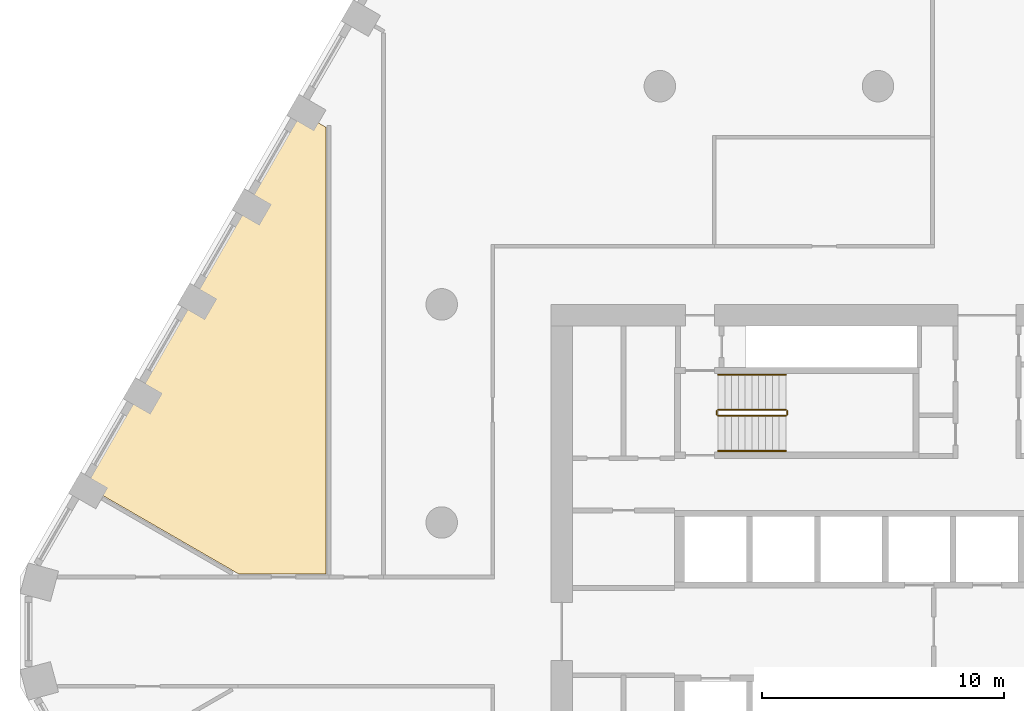
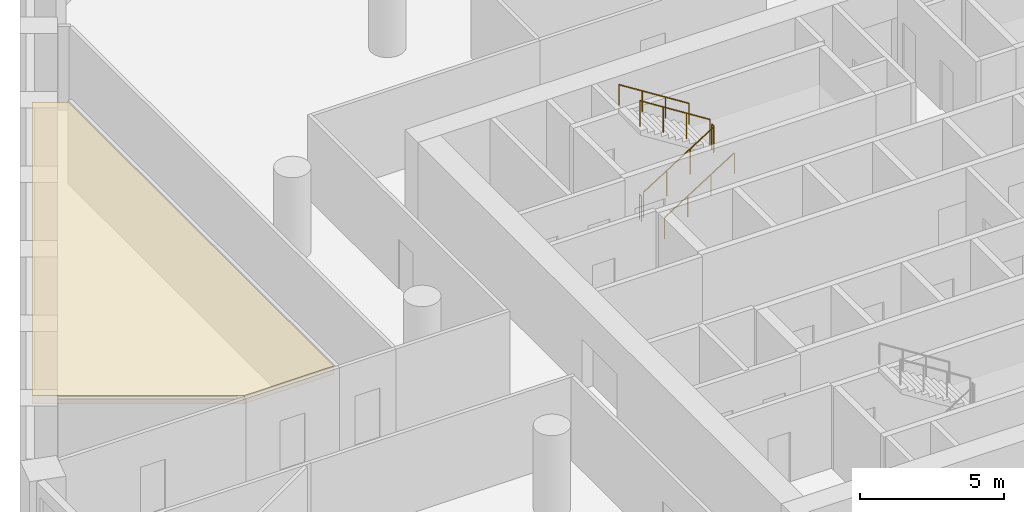
# One storey, part 12 of 14: 6 railings, 1 covering.
"""IFC4 building model written with IfcOpenShell, lengths in metres."""

from ifc_helpers import new_model, si_unit, direction, frame, origin, origin_2d, place, context, subcontext, project, spatial, polyline, circle, outline, extrude, material, layer, layer_set, type_object, element, save


model = new_model("IFC4")

# Units and contexts
model_context = context("Model", 3, precision=1e-05, world=origin(), true_north=direction((0.0, 1.0)))
body_context = subcontext(model_context, "Body", "Model", "MODEL_VIEW")
ifc_project = project(units=[si_unit("LENGTHUNIT", "METRE"), si_unit("AREAUNIT", "SQUARE_METRE"), si_unit("VOLUMEUNIT", "CUBIC_METRE"), si_unit("PLANEANGLEUNIT", "RADIAN"), si_unit("MASSUNIT", "GRAM", prefix="KILO")], contexts=[model_context])

# Site, building, storey
site_placement = place(None, origin())
site = spatial("IfcSite", under=ifc_project, at=site_placement, CompositionType="ELEMENT")
building_placement = place(site_placement, origin())
building = spatial("IfcBuilding", under=site, at=building_placement, Name="Dhurran Vertical Campus", CompositionType="ELEMENT")
storey_placement = place(building_placement, frame((0.0, 0.0, 93.0)))
storey = spatial("IfcBuildingStorey", under=building, at=storey_placement, Name="L22", CompositionType="ELEMENT", Elevation=93.0)

# Railings
ifc_material_1 = material(Name="Stainless steel balustrade", Category="steel")
railing_type_1 = type_object("IfcRailingType", Name="co-RL-GUARD-1100", PredefinedType="GUARDRAIL", material=ifc_material_1)
railing_1_placement = place(storey_placement, frame((-11.10009765625, 8.89990234375, 0.17724609375)))
element("IfcRailing", 1, at=railing_1_placement, inside=storey, type_object=railing_type_1, Name="L22 ST1 stair guard 1", PredefinedType="GUARDRAIL", context=body_context, shape_type="SweptSolid", body=[
    extrude(circle(Radius=0.02392578125, at=origin_2d()), frame((0.0, 0.0, 1.076171875), z_axis=(0.844908973607, 0.0, 0.534910110503), x_axis=(0.0, 1.0, 0.0)), (0.0, 0.0, 1.0), 3.31396484375),
    extrude(circle(Radius=0.02099609375, at=origin_2d()), origin(), (0.0, 0.0, 1.0), 1.052001953125),
    extrude(circle(Radius=0.02099609375, at=origin_2d()), frame((0.933349609375, 0.0, 0.5908203125)), (0.0, 0.0, 1.0), 1.052001953125),
    extrude(circle(Radius=0.02099609375, at=origin_2d()), frame((1.86669921875, 0.0, 1.181884765625)), (0.0, 0.0, 1.0), 1.052001953125),
    extrude(circle(Radius=0.02099609375, at=origin_2d()), frame((2.800048828125, 0.0, 1.772705078125)), (0.0, 0.0, 1.0), 1.052001953125),
])
railing_2_placement = place(storey_placement, frame((-8.25, 8.949951171875, 1.949951171875)))
element("IfcRailing", 2, at=railing_2_placement, inside=storey, type_object=railing_type_1, Name="L22 ST1 stair guard 2", PredefinedType="GUARDRAIL", context=body_context, shape_type="SweptSolid", body=[
    extrude(circle(Radius=0.02392578125, at=origin_2d()), frame((0.0, 0.0, 1.076171875), z_axis=(0.0, 1.0, 0.0), x_axis=(-1.0, 0.0, 0.0)), (0.0, 0.0, 1.0), 0.150146484375),
    extrude(circle(Radius=0.02099609375, at=origin_2d()), origin(), (0.0, 0.0, 1.0), 1.052001953125),
    extrude(circle(Radius=0.02099609375, at=origin_2d()), frame((0.0, 0.150146484375, 0.0)), (0.0, 0.0, 1.0), 1.052001953125),
])
railing_3_placement = place(storey_placement, frame((-8.300048828125, 9.14990234375, 2.127197265625)))
element("IfcRailing", 3, at=railing_3_placement, inside=storey, type_object=railing_type_1, Name="L22 ST1 stair guard 3", PredefinedType="GUARDRAIL", context=body_context, shape_type="SweptSolid", body=[
    extrude(circle(Radius=0.02392578125, at=origin_2d()), frame((0.0, 0.0, 1.076171875), z_axis=(-0.844908973607, 0.0, 0.534910110503), x_axis=(0.0, -1.0, 0.0)), (0.0, 0.0, 1.0), 3.31396484375),
    extrude(circle(Radius=0.02099609375, at=origin_2d()), origin(), (0.0, 0.0, 1.0), 1.052001953125),
    extrude(circle(Radius=0.02099609375, at=origin_2d()), frame((-0.933349609375, 0.0, 0.5908203125)), (0.0, 0.0, 1.0), 1.052001953125),
    extrude(circle(Radius=0.02099609375, at=origin_2d()), frame((-1.86669921875, 0.0, 1.181884765625)), (0.0, 0.0, 1.0), 1.052001953125),
    extrude(circle(Radius=0.02099609375, at=origin_2d()), frame((-2.800048828125, 0.0, 1.772705078125)), (0.0, 0.0, 1.0), 1.052001953125),
])
railing_4_placement = place(storey_placement, frame((-11.14990234375, 8.949951171875, 0.0)))
element("IfcRailing", 4, at=railing_4_placement, inside=storey, type_object=railing_type_1, Name="L22 ST1 stair guard 4", PredefinedType="GUARDRAIL", context=body_context, shape_type="SweptSolid", body=[
    extrude(circle(Radius=0.02392578125, at=origin_2d()), frame((0.0, 0.0, 1.076171875), z_axis=(0.0, 1.0, 0.0), x_axis=(-1.0, 0.0, 0.0)), (0.0, 0.0, 1.0), 0.150146484375),
    extrude(circle(Radius=0.02099609375, at=origin_2d()), origin(), (0.0, 0.0, 1.0), 1.052001953125),
    extrude(circle(Radius=0.02099609375, at=origin_2d()), frame((0.0, 0.150146484375, 0.0)), (0.0, 0.0, 1.0), 1.052001953125),
])
ifc_material_2 = material(Name="Stainless steel handrail", Category="steel")
railing_type_2 = type_object("IfcRailingType", Name="co-RL-HANDRAIL-900", PredefinedType="HANDRAIL", material=ifc_material_2)
railing_5_placement = place(storey_placement, frame((-11.10009765625, 7.449951171875, 0.17724609375)))
element("IfcRailing", 5, at=railing_5_placement, inside=storey, type_object=railing_type_2, Name="L22 ST1 stair handrail 1", PredefinedType="HANDRAIL", context=body_context, shape_type="SweptSolid", body=[
    extrude(circle(Radius=0.02392578125, at=origin_2d()), frame((0.0, 0.0, 0.8759765625), z_axis=(0.844908973607, 0.0, 0.534910110503), x_axis=(0.0, 1.0, 0.0)), (0.0, 0.0, 1.0), 3.31396484375),
    extrude(circle(Radius=0.02099609375, at=origin_2d()), origin(), (0.0, 0.0, 1.0), 0.851806640625),
    extrude(circle(Radius=0.02099609375, at=origin_2d()), frame((0.933349609375, 0.0, 0.5908203125)), (0.0, 0.0, 1.0), 0.851806640625),
    extrude(circle(Radius=0.02099609375, at=origin_2d()), frame((1.86669921875, 0.0, 1.181884765625)), (0.0, 0.0, 1.0), 0.851806640625),
    extrude(circle(Radius=0.02099609375, at=origin_2d()), frame((2.800048828125, 0.0, 1.772705078125)), (0.0, 0.0, 1.0), 0.851806640625),
])
railing_6_placement = place(storey_placement, frame((-8.300048828125, 10.60009765625, 2.127197265625)))
element("IfcRailing", 6, at=railing_6_placement, inside=storey, type_object=railing_type_2, Name="L22 ST1 stair handrail 2", PredefinedType="HANDRAIL", context=body_context, shape_type="SweptSolid", body=[
    extrude(circle(Radius=0.02392578125, at=origin_2d()), frame((0.0, 0.0, 0.8759765625), z_axis=(-0.844908973607, 0.0, 0.534910110503), x_axis=(0.0, -1.0, 0.0)), (0.0, 0.0, 1.0), 3.31396484375),
    extrude(circle(Radius=0.02099609375, at=origin_2d()), origin(), (0.0, 0.0, 1.0), 0.851806640625),
    extrude(circle(Radius=0.02099609375, at=origin_2d()), frame((-0.933349609375, 0.0, 0.5908203125)), (0.0, 0.0, 1.0), 0.851806640625),
    extrude(circle(Radius=0.02099609375, at=origin_2d()), frame((-1.86669921875, 0.0, 1.181884765625)), (0.0, 0.0, 1.0), 0.851806640625),
    extrude(circle(Radius=0.02099609375, at=origin_2d()), frame((-2.800048828125, 0.0, 1.772705078125)), (0.0, 0.0, 1.0), 0.851806640625),
])

# Covering
ifc_material_3 = material(Name="Mineral fibre ceiling tiles on suspended grid")
ifc_layer = layer(ifc_material_3, 0.35009765625)
ifc_layer_set = layer_set([ifc_layer], Name="Mineral fibre ceiling tiles on suspended grid")
covering_type = type_object("IfcCoveringType", Name="fl-CE-350 suspended ceiling", PredefinedType="CEILING", material=ifc_layer_set)
covering_placement = place(storey_placement, frame((0.0, 0.0, 3.175048828125)))
element("IfcCovering", 7, at=covering_placement, inside=storey, type_object=covering_type, Name="Ceiling 22-06", PredefinedType="CEILING", context=body_context, shape_type="SweptSolid", body=[
    extrude(outline(polyline([(-27.27001953125, 20.802001953125), (-27.27001953125, 2.3701171875), (-30.864990234375, 2.3701171875), (-37.222900390625, 6.041015625), (-28.343017578125, 21.4208984375), (-27.27001953125, 20.802001953125)])), origin(), (0.0, 0.0, 1.0), 0.349853515625),
])

save(model, "model.ifc")
